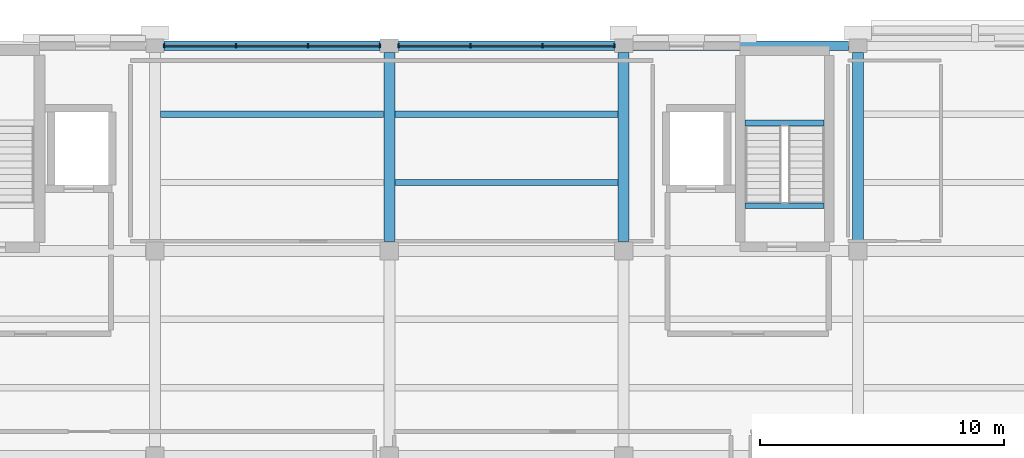
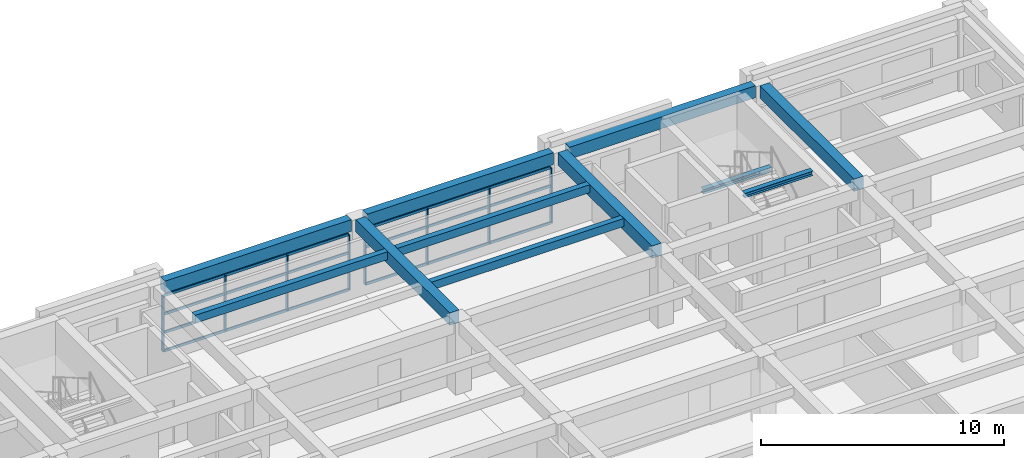
# One storey, part 2 of 10: 16 members, 11 beams, 2 elements without a shape of their own.
"""IFC4 building model written with IfcOpenShell, lengths in metres."""

from ifc_helpers import new_model, si_unit, direction, frame, origin, origin_2d, place, context, subcontext, project, spatial, rectangle, i_section, extrude, material, layer, layer_set, material_profile, profile_set, type_object, element, aggregate, save


model = new_model("IFC4")

# Units and contexts
model_context = context("Model", 3, precision=1e-05, world=origin(), true_north=direction((0.0, 1.0)))
body_context = subcontext(model_context, "Body", "Model", "MODEL_VIEW")
ifc_project = project(units=[si_unit("LENGTHUNIT", "METRE"), si_unit("AREAUNIT", "SQUARE_METRE"), si_unit("VOLUMEUNIT", "CUBIC_METRE"), si_unit("PLANEANGLEUNIT", "RADIAN"), si_unit("MASSUNIT", "GRAM", prefix="KILO")], contexts=[model_context])

# Site, building, storey
site_placement = place(None, origin())
site = spatial("IfcSite", under=ifc_project, at=site_placement, CompositionType="ELEMENT")
building_placement = place(site_placement, origin())
building = spatial("IfcBuilding", under=site, at=building_placement, Name="Bempovik Park Faculty of Sciences", CompositionType="ELEMENT")
storey_placement = place(building_placement, frame((0.0, 0.0, 26.699951171875)))
storey = spatial("IfcBuildingStorey", under=building, at=storey_placement, Name="L06", CompositionType="ELEMENT", Elevation=26.699951171875)

# Beams
ifc_material_1 = material(Name="Concrete C35/45", Category="concrete")
ifc_material_profile_1 = material_profile(ifc_material_1, rectangle(XDim=0.3798828125, YDim=0.60009765625, at=origin_2d()), Name="RC 380x600")
ifc_profile_set_1 = profile_set([ifc_material_profile_1], Name="Concrete C35/45")
beam_type_1 = type_object("IfcBeamType", Name="B-032 RC 380x600", PredefinedType="SPANDREL", material=ifc_profile_set_1)
beam_1_placement = place(storey_placement, frame((79.5810546875, 119.39990234375, 3.320068359375), z_axis=(1.0, 0.0, 0.0), x_axis=(0.0, 1.0, 0.0)))
element("IfcBeam", 1, at=beam_1_placement, inside=storey, type_object=beam_type_1, Name="L06 Beam X (79.2-88.8, y=119.4)", PredefinedType="SPANDREL", context=body_context, shape_type="SweptSolid", body=[
    extrude(rectangle(XDim=0.3798828125, YDim=0.60009765625, at=origin_2d()), origin(), (0.0, 0.0, 1.0), 8.837890625),
])
beam_2_placement = place(storey_placement, frame((89.180908203125, 119.39990234375, 3.320068359375), z_axis=(1.0, 0.0, 0.0), x_axis=(0.0, 1.0, 0.0)))
element("IfcBeam", 2, at=beam_2_placement, inside=storey, type_object=beam_type_1, Name="L06 Beam X (88.8-98.4, y=119.4)", PredefinedType="SPANDREL", context=body_context, shape_type="SweptSolid", body=[
    extrude(rectangle(XDim=0.3798828125, YDim=0.60009765625, at=origin_2d()), origin(), (0.0, 0.0, 1.0), 8.838134765625),
])
beam_3_placement = place(storey_placement, frame((98.781005859375, 119.39990234375, 3.320068359375), z_axis=(1.0, 0.0, 0.0), x_axis=(0.0, 1.0, 0.0)))
element("IfcBeam", 3, at=beam_3_placement, inside=storey, type_object=beam_type_1, Name="L06 Beam X (98.4-108.0, y=119.4)", PredefinedType="SPANDREL", context=body_context, shape_type="SweptSolid", body=[
    extrude(rectangle(XDim=0.3798828125, YDim=0.60009765625, at=origin_2d()), origin(), (0.0, 0.0, 1.0), 8.837890625),
])
ifc_material_profile_2 = material_profile(ifc_material_1, rectangle(XDim=0.260009765625, YDim=0.39990234375, at=origin_2d()), Name="RC 260x400")
ifc_profile_set_2 = profile_set([ifc_material_profile_2], Name="Concrete C35/45")
beam_type_2 = type_object("IfcBeamType", Name="B-063 RC 260x400", PredefinedType="JOIST", material=ifc_profile_set_2)
beam_4_placement = place(storey_placement, frame((79.430908203125, 116.60009765625, 3.420166015625), z_axis=(1.0, 0.0, 0.0), x_axis=(0.0, 1.0, 0.0)))
element("IfcBeam", 4, at=beam_4_placement, inside=storey, type_object=beam_type_2, Name="L06 Secondary Joist (79.2-88.8, y=116.60)", PredefinedType="JOIST", context=body_context, shape_type="SweptSolid", body=[
    extrude(rectangle(XDim=0.260009765625, YDim=0.39990234375, at=origin_2d()), origin(), (0.0, 0.0, 1.0), 9.13818359375),
])
for number, where, z_axis, x_axis, name in (
    (5, (89.031005859375, 113.800048828125, 3.420166015625), (1.0, 0.0, 0.0), (0.0, 1.0, 0.0), "L06 Secondary Joist (88.8-98.4, y=113.80)"),
    (6, (89.031005859375, 116.60009765625, 3.420166015625), (1.0, 0.0, 0.0), (0.0, 1.0, 0.0), "L06 Secondary Joist (88.8-98.4, y=116.60)"),
):
    element("IfcBeam", number, at=place(storey_placement, frame(where, z_axis=z_axis, x_axis=x_axis)), inside=storey, type_object=beam_type_2, Name=name, PredefinedType="JOIST", context=body_context, shape_type="SweptSolid", body=[
        extrude(rectangle(XDim=0.260009765625, YDim=0.39990234375, at=origin_2d()), origin(), (0.0, 0.0, 1.0), 9.137939453125),
    ])
ifc_material_2 = material(Name="Steel S355", Category="steel")
ifc_material_profile_3 = material_profile(ifc_material_2, i_section(OverallWidth=0.239990234375, OverallDepth=0.22998046875, WebThickness=0.007568359375, FlangeThickness=0.011962890625, at=origin_2d()), Name="HEA 240")
ifc_profile_set_3 = profile_set([ifc_material_profile_3], Name="Steel S355")
beam_type_3 = type_object("IfcBeamType", Name="B-070 HEA 240", PredefinedType="BEAM", material=ifc_profile_set_3)
for number, where, z_axis, x_axis, name in (
    (7, (103.381103515625, 116.24365234375, 1.635009765625), (1.0, 0.0, 0.0), (0.0, 1.0, 0.0), "L06 ST-2 Half-Landing Trimmer Beam"),
    (8, (103.381103515625, 112.85009765625, 3.505126953125), (1.0, 0.0, 0.0), (0.0, 1.0, 0.0), "L07 ST-2 Floor Landing Trimmer Beam"),
):
    element("IfcBeam", number, at=place(storey_placement, frame(where, z_axis=z_axis, x_axis=x_axis)), inside=storey, type_object=beam_type_3, Name=name, PredefinedType="BEAM", context=body_context, shape_type="SweptSolid", body=[
        extrude(i_section(OverallWidth=0.239990234375, OverallDepth=0.22998046875, WebThickness=0.007568359375, FlangeThickness=0.011962890625, at=origin_2d()), origin(), (0.0, 0.0, 1.0), 3.23779296875),
    ])
ifc_material_profile_4 = material_profile(ifc_material_1, rectangle(XDim=0.449951171875, YDim=0.6201171875, at=origin_2d()), Name="RC 450x620")
ifc_profile_set_4 = profile_set([ifc_material_profile_4], Name="Concrete C35/45")
beam_type_4 = type_object("IfcBeamType", Name="B-114 RC 450x620", PredefinedType="BEAM", material=ifc_profile_set_4)
for number, where, z_axis, x_axis, name in (
    (9, (88.800048828125, 111.381103515625, 3.31005859375), (0.0, 1.0, 0.0), (-1.0, 0.0, 0.0), "L06 Beam Y (x=88.8, 111.0-119.4)"),
    (10, (98.39990234375, 111.381103515625, 3.31005859375), (0.0, 1.0, 0.0), (-1.0, 0.0, 0.0), "L06 Beam Y (x=98.4, 111.0-119.4)"),
    (11, (108.0, 111.381103515625, 3.31005859375), (0.0, 1.0, 0.0), (-1.0, 0.0, 0.0), "L06 Beam Y (x=108.0, 111.0-119.4)"),
):
    element("IfcBeam", number, at=place(storey_placement, frame(where, z_axis=z_axis, x_axis=x_axis)), inside=storey, type_object=beam_type_4, Name=name, PredefinedType="BEAM", context=body_context, shape_type="SweptSolid", body=[
        extrude(rectangle(XDim=0.449951171875, YDim=0.6201171875, at=origin_2d()), origin(), (0.0, 0.0, 1.0), 7.73779296875),
    ])

# Curtain wall, members
ifc_material_3 = material(Name="Tempered laminated low-E glass", Category="glass")
ifc_layer = layer(ifc_material_3, 0.159912109375)
ifc_layer_set = layer_set([ifc_layer], Name="Tempered laminated low-E glass")
curtain_wall_type = type_object("IfcCurtainWallType", Name="CW-24 Curtain 7000x3500", PredefinedType="USERDEFINED", material=ifc_layer_set)
curtain_wall_1_placement = place(storey_placement, origin())
curtain_wall_1 = element("IfcCurtainWall", 12, at=curtain_wall_1_placement, inside=storey, type_object=curtain_wall_type, Name="L06 Unitised Curtain Wall (119.4,79.2)", ObjectType="UNITISED CURTAIN WALL", PredefinedType="USERDEFINED")
ifc_material_4 = material(Name="Anodised architectural bronze", Category="aluminium")
ifc_material_profile_5 = material_profile(ifc_material_4, rectangle(XDim=0.06005859375, YDim=0.159912109375, at=origin_2d()), Name="ALU-M 60x160")
ifc_profile_set_5 = profile_set([ifc_material_profile_5], Name="Anodised architectural bronze")
member_type_1 = type_object("IfcMemberType", Name="ML-21 ALU-M 60x160", PredefinedType="MULLION", material=ifc_profile_set_5)
member_1_placement = place(storey_placement, frame((79.576904296875, 119.39990234375, 0.0), z_axis=(0.0, 0.0, 1.0), x_axis=(1.0, 0.0, 0.0)))
member_1 = element("IfcMember", 13, at=member_1_placement, type_object=member_type_1, Name="CW-BAY-L06-1194-792 Mullion 0", PredefinedType="MULLION", context=body_context, shape_type="SweptSolid", body=[
    extrude(rectangle(XDim=0.06005859375, YDim=0.159912109375, at=origin_2d()), origin(), (0.0, 0.0, 1.0), 2.780029296875),
])
member_2_placement = place(storey_placement, frame((82.525634765625, 119.39990234375, 0.0), z_axis=(0.0, 0.0, 1.0), x_axis=(1.0, 0.0, 0.0)))
member_2 = element("IfcMember", 14, at=member_2_placement, type_object=member_type_1, Name="CW-BAY-L06-1194-792 Mullion 1", PredefinedType="MULLION", context=body_context, shape_type="SweptSolid", body=[
    extrude(rectangle(XDim=0.06005859375, YDim=0.159912109375, at=origin_2d()), origin(), (0.0, 0.0, 1.0), 2.780029296875),
])
member_3_placement = place(storey_placement, frame((85.474365234375, 119.39990234375, 0.0), z_axis=(0.0, 0.0, 1.0), x_axis=(1.0, 0.0, 0.0)))
member_3 = element("IfcMember", 15, at=member_3_placement, type_object=member_type_1, Name="CW-BAY-L06-1194-792 Mullion 2", PredefinedType="MULLION", context=body_context, shape_type="SweptSolid", body=[
    extrude(rectangle(XDim=0.06005859375, YDim=0.159912109375, at=origin_2d()), origin(), (0.0, 0.0, 1.0), 2.780029296875),
])
member_4_placement = place(storey_placement, frame((88.423095703125, 119.39990234375, 0.0), z_axis=(0.0, 0.0, 1.0), x_axis=(1.0, 0.0, 0.0)))
member_4 = element("IfcMember", 16, at=member_4_placement, type_object=member_type_1, Name="CW-BAY-L06-1194-792 Mullion 3", PredefinedType="MULLION", context=body_context, shape_type="SweptSolid", body=[
    extrude(rectangle(XDim=0.06005859375, YDim=0.159912109375, at=origin_2d()), origin(), (0.0, 0.0, 1.0), 2.780029296875),
])

curtain_wall_2_placement = place(storey_placement, origin())
curtain_wall_2 = element("IfcCurtainWall", 17, at=curtain_wall_2_placement, inside=storey, type_object=curtain_wall_type, Name="L06 Unitised Curtain Wall (119.4,88.8)", ObjectType="UNITISED CURTAIN WALL", PredefinedType="USERDEFINED")
member_5_placement = place(storey_placement, frame((89.177001953125, 119.39990234375, 0.0), z_axis=(0.0, 0.0, 1.0), x_axis=(1.0, 0.0, 0.0)))
member_5 = element("IfcMember", 18, at=member_5_placement, type_object=member_type_1, Name="CW-BAY-L06-1194-888 Mullion 0", PredefinedType="MULLION", context=body_context, shape_type="SweptSolid", body=[
    extrude(rectangle(XDim=0.06005859375, YDim=0.159912109375, at=origin_2d()), origin(), (0.0, 0.0, 1.0), 2.780029296875),
])
member_6_placement = place(storey_placement, frame((92.125732421875, 119.39990234375, 0.0), z_axis=(0.0, 0.0, 1.0), x_axis=(1.0, 0.0, 0.0)))
member_6 = element("IfcMember", 19, at=member_6_placement, type_object=member_type_1, Name="CW-BAY-L06-1194-888 Mullion 1", PredefinedType="MULLION", context=body_context, shape_type="SweptSolid", body=[
    extrude(rectangle(XDim=0.06005859375, YDim=0.159912109375, at=origin_2d()), origin(), (0.0, 0.0, 1.0), 2.780029296875),
])
member_7_placement = place(storey_placement, frame((95.07421875, 119.39990234375, 0.0), z_axis=(0.0, 0.0, 1.0), x_axis=(1.0, 0.0, 0.0)))
member_7 = element("IfcMember", 20, at=member_7_placement, type_object=member_type_1, Name="CW-BAY-L06-1194-888 Mullion 2", PredefinedType="MULLION", context=body_context, shape_type="SweptSolid", body=[
    extrude(rectangle(XDim=0.06005859375, YDim=0.159912109375, at=origin_2d()), origin(), (0.0, 0.0, 1.0), 2.780029296875),
])
member_8_placement = place(storey_placement, frame((98.02294921875, 119.39990234375, 0.0), z_axis=(0.0, 0.0, 1.0), x_axis=(1.0, 0.0, 0.0)))
member_8 = element("IfcMember", 21, at=member_8_placement, type_object=member_type_1, Name="CW-BAY-L06-1194-888 Mullion 3", PredefinedType="MULLION", context=body_context, shape_type="SweptSolid", body=[
    extrude(rectangle(XDim=0.06005859375, YDim=0.159912109375, at=origin_2d()), origin(), (0.0, 0.0, 1.0), 2.780029296875),
])

# Member
ifc_material_profile_6 = material_profile(ifc_material_4, rectangle(XDim=0.06005859375, YDim=0.1298828125, at=origin_2d()), Name="ALU-T 60x130")
ifc_profile_set_6 = profile_set([ifc_material_profile_6], Name="Anodised architectural bronze")
member_type_2 = type_object("IfcMemberType", Name="TR-25 ALU-T 60x130", PredefinedType="USERDEFINED", material=ifc_profile_set_6)
member_9_placement = place(storey_placement, frame((79.616943359375, 119.39990234375, 0.0), z_axis=(1.0, 0.0, 0.0), x_axis=(0.0, 1.0, 0.0)))
member_9 = element("IfcMember", 22, at=member_9_placement, type_object=member_type_2, Name="CW-BAY-L06-1194-792 Transom 0", ObjectType="TRANSOM", PredefinedType="USERDEFINED", context=body_context, shape_type="SweptSolid", body=[
    extrude(rectangle(XDim=0.06005859375, YDim=0.1298828125, at=origin_2d()), origin(), (0.0, 0.0, 1.0), 8.76611328125),
])

member_10_placement = place(storey_placement, frame((79.616943359375, 119.39990234375, 0.9267578125), z_axis=(1.0, 0.0, 0.0), x_axis=(0.0, 1.0, 0.0)))
member_10 = element("IfcMember", 23, at=member_10_placement, type_object=member_type_2, Name="CW-BAY-L06-1194-792 Transom 1", ObjectType="TRANSOM", PredefinedType="USERDEFINED", context=body_context, shape_type="SweptSolid", body=[
    extrude(rectangle(XDim=0.06005859375, YDim=0.1298828125, at=origin_2d()), origin(), (0.0, 0.0, 1.0), 8.76611328125),
])

member_11_placement = place(storey_placement, frame((79.616943359375, 119.39990234375, 1.853271484375), z_axis=(1.0, 0.0, 0.0), x_axis=(0.0, 1.0, 0.0)))
member_11 = element("IfcMember", 24, at=member_11_placement, type_object=member_type_2, Name="CW-BAY-L06-1194-792 Transom 2", ObjectType="TRANSOM", PredefinedType="USERDEFINED", context=body_context, shape_type="SweptSolid", body=[
    extrude(rectangle(XDim=0.06005859375, YDim=0.1298828125, at=origin_2d()), origin(), (0.0, 0.0, 1.0), 8.76611328125),
])

member_12_placement = place(storey_placement, frame((79.616943359375, 119.39990234375, 2.780029296875), z_axis=(1.0, 0.0, 0.0), x_axis=(0.0, 1.0, 0.0)))
member_12 = element("IfcMember", 25, at=member_12_placement, type_object=member_type_2, Name="CW-BAY-L06-1194-792 Transom 3", ObjectType="TRANSOM", PredefinedType="USERDEFINED", context=body_context, shape_type="SweptSolid", body=[
    extrude(rectangle(XDim=0.06005859375, YDim=0.1298828125, at=origin_2d()), origin(), (0.0, 0.0, 1.0), 8.76611328125),
])

aggregate(curtain_wall_1, [member_1, member_2, member_3, member_4, member_9, member_10, member_11, member_12])

member_13_placement = place(storey_placement, frame((89.217041015625, 119.39990234375, 0.0), z_axis=(1.0, 0.0, 0.0), x_axis=(0.0, 1.0, 0.0)))
member_13 = element("IfcMember", 26, at=member_13_placement, type_object=member_type_2, Name="CW-BAY-L06-1194-888 Transom 0", ObjectType="TRANSOM", PredefinedType="USERDEFINED", context=body_context, shape_type="SweptSolid", body=[
    extrude(rectangle(XDim=0.06005859375, YDim=0.1298828125, at=origin_2d()), origin(), (0.0, 0.0, 1.0), 8.765869140625),
])

member_14_placement = place(storey_placement, frame((89.217041015625, 119.39990234375, 0.9267578125), z_axis=(1.0, 0.0, 0.0), x_axis=(0.0, 1.0, 0.0)))
member_14 = element("IfcMember", 27, at=member_14_placement, type_object=member_type_2, Name="CW-BAY-L06-1194-888 Transom 1", ObjectType="TRANSOM", PredefinedType="USERDEFINED", context=body_context, shape_type="SweptSolid", body=[
    extrude(rectangle(XDim=0.06005859375, YDim=0.1298828125, at=origin_2d()), origin(), (0.0, 0.0, 1.0), 8.765869140625),
])

member_15_placement = place(storey_placement, frame((89.217041015625, 119.39990234375, 1.853271484375), z_axis=(1.0, 0.0, 0.0), x_axis=(0.0, 1.0, 0.0)))
member_15 = element("IfcMember", 28, at=member_15_placement, type_object=member_type_2, Name="CW-BAY-L06-1194-888 Transom 2", ObjectType="TRANSOM", PredefinedType="USERDEFINED", context=body_context, shape_type="SweptSolid", body=[
    extrude(rectangle(XDim=0.06005859375, YDim=0.1298828125, at=origin_2d()), origin(), (0.0, 0.0, 1.0), 8.765869140625),
])

member_16_placement = place(storey_placement, frame((89.217041015625, 119.39990234375, 2.780029296875), z_axis=(1.0, 0.0, 0.0), x_axis=(0.0, 1.0, 0.0)))
member_16 = element("IfcMember", 29, at=member_16_placement, type_object=member_type_2, Name="CW-BAY-L06-1194-888 Transom 3", ObjectType="TRANSOM", PredefinedType="USERDEFINED", context=body_context, shape_type="SweptSolid", body=[
    extrude(rectangle(XDim=0.06005859375, YDim=0.1298828125, at=origin_2d()), origin(), (0.0, 0.0, 1.0), 8.765869140625),
])

aggregate(curtain_wall_2, [member_5, member_6, member_7, member_8, member_13, member_14, member_15, member_16])

save(model, "model.ifc")
